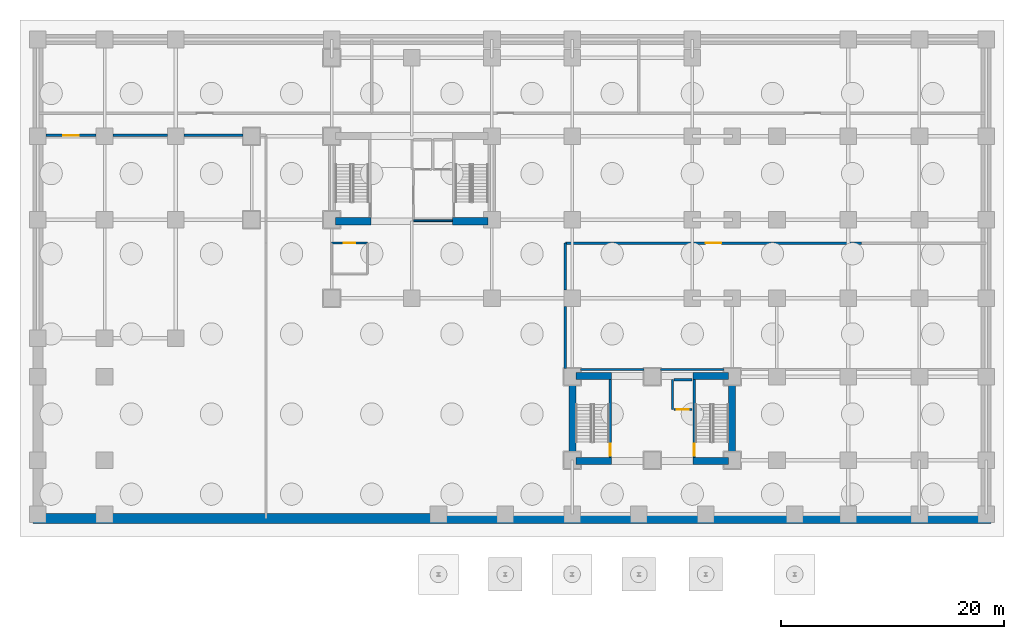
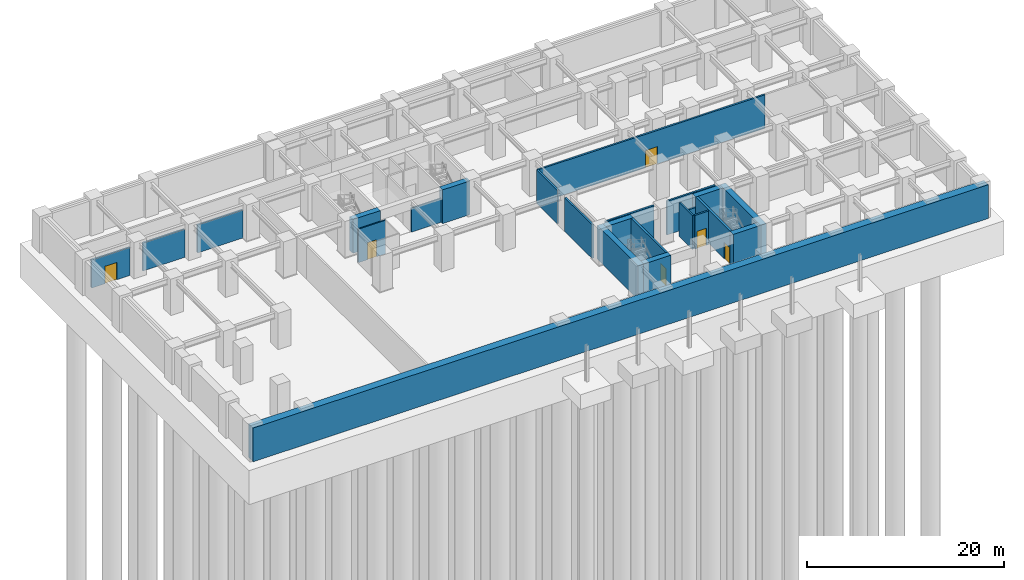
# One storey, part 7 of 11: 24 walls, 6 doors, 6 openings.
"""IFC4 building model written with IfcOpenShell, lengths in metres."""

from ifc_helpers import new_model, si_unit, direction, frame, frame_2d, origin, place, context, subcontext, project, spatial, rectangle, extrude, material, layer, layer_set, type_object, element, fill, save


model = new_model("IFC4")

# Units and contexts
model_context = context("Model", 3, precision=1e-05, world=origin(), true_north=direction((0.0, 1.0)))
body_context = subcontext(model_context, "Body", "Model", "MODEL_VIEW")
ifc_project = project(units=[si_unit("LENGTHUNIT", "METRE"), si_unit("AREAUNIT", "SQUARE_METRE"), si_unit("VOLUMEUNIT", "CUBIC_METRE"), si_unit("PLANEANGLEUNIT", "RADIAN"), si_unit("MASSUNIT", "GRAM", prefix="KILO")], contexts=[model_context])

# Site, building, storey
site_placement = place(None, origin())
site = spatial("IfcSite", under=ifc_project, at=site_placement, CompositionType="ELEMENT")
building_placement = place(site_placement, origin())
building = spatial("IfcBuilding", under=site, at=building_placement, Name="Kaliganga Portal Commons", CompositionType="ELEMENT")
storey_placement = place(building_placement, frame((0.0, 0.0, -9.0)))
storey = spatial("IfcBuildingStorey", under=building, at=storey_placement, Name="B2", CompositionType="ELEMENT", Elevation=-9.0)

# Walls
ifc_material_1 = material(Name="Concrete C70/85", Category="concrete")
ifc_layer_1 = layer(ifc_material_1, 0.64990234375)
ifc_layer_set_1 = layer_set([ifc_layer_1], Name="Concrete C70/85")
wall_type_1 = type_object("IfcWallType", Name="WL-CORE-650", PredefinedType="SHEAR", material=ifc_layer_set_1)
for number, where, z_axis, x_axis, name in (
    (1, (14.75, 28.52490234375, 0.0), (0.0, 0.0, 1.0), (1.0, 0.0, 0.0), "Core A S-West Shear Wall B2"),
    (2, (25.25, 28.52490234375, 0.0), (0.0, 0.0, 1.0), (1.0, 0.0, 0.0), "Core A S-East Shear Wall B2"),
):
    element("IfcWall", number, at=place(storey_placement, frame(where, z_axis=z_axis, x_axis=x_axis)), inside=storey, type_object=wall_type_1, Name=name, PredefinedType="SHEAR", context=body_context, shape_type="SweptSolid", body=[
        extrude(rectangle(XDim=3.199951171875, YDim=0.64990234375, at=frame_2d((1.60009765625, 0.0))), origin(), (0.0, 0.0, 1.0), 4.179931640625),
    ])
for number, where, z_axis, x_axis, name in (
    (3, (36.02490234375, 6.64990234375, 0.0), (0.0, 0.0, 1.0), (0.0, 1.0, 0.0), "Core B West Shear Wall B2"),
    (4, (50.375, 6.64990234375, 0.0), (0.0, 0.0, 1.0), (0.0, 1.0, 0.0), "Core B East Shear Wall B2"),
):
    element("IfcWall", number, at=place(storey_placement, frame(where, z_axis=z_axis, x_axis=x_axis)), inside=storey, type_object=wall_type_1, Name=name, PredefinedType="SHEAR", context=body_context, shape_type="SweptSolid", body=[
        extrude(rectangle(XDim=8.300048828125, YDim=0.64990234375, at=frame_2d((4.14990234375, 0.0))), origin(), (0.0, 0.0, 1.0), 4.179931640625),
    ])
for number, where, z_axis, x_axis, name in (
    (5, (36.35009765625, 6.97509765625, 0.0), (0.0, 0.0, 1.0), (1.0, 0.0, 0.0), "Core B S-West Shear Wall B2"),
    (6, (46.85009765625, 6.97509765625, 0.0), (0.0, 0.0, 1.0), (1.0, 0.0, 0.0), "Core B S-East Shear Wall B2"),
    (7, (36.35009765625, 14.625, 0.0), (0.0, 0.0, 1.0), (1.0, 0.0, 0.0), "Core B N-West Shear Wall B2"),
    (8, (46.85009765625, 14.625, 0.0), (0.0, 0.0, 1.0), (1.0, 0.0, 0.0), "Core B N-East Shear Wall B2"),
):
    element("IfcWall", number, at=place(storey_placement, frame(where, z_axis=z_axis, x_axis=x_axis)), inside=storey, type_object=wall_type_1, Name=name, PredefinedType="SHEAR", context=body_context, shape_type="SweptSolid", body=[
        extrude(rectangle(XDim=3.199951171875, YDim=0.64990234375, at=frame_2d((1.60009765625, 0.0))), origin(), (0.0, 0.0, 1.0), 4.179931640625),
    ])

# Wall, opening, door
ifc_material_2 = material(Name="Fire-Rated Gypsum Board on Steel Stud", Category="steel")
ifc_layer_2 = layer(ifc_material_2, 0.14990234375)
ifc_layer_set_2 = layer_set([ifc_layer_2], Name="Fire-Rated Gypsum Board on Steel Stud")
wall_type_2 = type_object("IfcWallType", Name="WL-PART-CORR-150", PredefinedType="PARTITIONING", material=ifc_layer_set_2)
wall_1_placement = place(storey_placement, frame((14.39990234375, 26.56005859375, 0.0), z_axis=(0.0, 0.0, 1.0), x_axis=(1.0, 0.0, 0.0)))
wall_1 = element("IfcWall", 9, at=wall_1_placement, inside=storey, type_object=wall_type_2, Name="Interior Partition B2-012", PredefinedType="PARTITIONING", context=body_context, shape_type="SweptSolid", body=[
    extrude(rectangle(XDim=3.2001953125, YDim=0.14990234375, at=frame_2d((1.60009765625, 0.0))), origin(), (0.0, 0.0, 1.0), 4.159912109375),
])
opening_1_placement = place(wall_1_placement, frame((1.074951171875, 0.0, 0.0)))
opening_1 = element("IfcOpeningElement", 10, at=opening_1_placement, cuts=wall_1, Name="Opening UD-02", PredefinedType="OPENING", context=body_context, shape_type="SweptSolid", body=[
    extrude(rectangle(XDim=1.050048828125, YDim=2.1201171875, at=frame_2d((0.52490234375, 1.06005859375))), frame((0.0, 0.0849609375, 0.0), z_axis=(0.0, -1.0, 0.0), x_axis=(1.0, 0.0, 0.0)), (0.0, 0.0, 1.0), 0.169921875),
])
ifc_material_3 = material(Name="Accessible Wide-Leaf Acoustic Fire Door", Category="wood")
door_type_1 = type_object("IfcDoorType", Name="DR-ACC-1050", OperationType="NOTDEFINED", PredefinedType="DOOR", material=ifc_material_3)
door_1_placement = place(opening_1_placement, origin())
door_1 = element("IfcDoor", 11, at=door_1_placement, inside=storey, type_object=door_type_1, Name="Interior Door B2-B2WC", OperationType="SINGLE_SWING_RIGHT", OverallHeight=2.1201171875, OverallWidth=1.050048828125, PredefinedType="DOOR", context=body_context, shape_type="SweptSolid", body=[
    extrude(rectangle(XDim=1.050048828125, YDim=2.1201171875, at=frame_2d((0.52490234375, 1.06005859375))), frame((0.0, 0.02490234375, 0.0), z_axis=(0.0, -1.0, 0.0), x_axis=(1.0, 0.0, 0.0)), (0.0, 0.0, 1.0), 0.050048828125),
])
fill(opening_1, door_1)

# Wall
wall_2_placement = place(storey_placement, frame((21.760009765625, 28.56005859375, 0.0), z_axis=(0.0, 0.0, 1.0), x_axis=(1.0, 0.0, 0.0)))
element("IfcWall", 12, at=wall_2_placement, inside=storey, type_object=wall_type_2, Name="Interior Partition B2-025", PredefinedType="PARTITIONING", context=body_context, shape_type="SweptSolid", body=[
    extrude(rectangle(XDim=3.47998046875, YDim=0.14990234375, at=frame_2d((1.739990234375, 0.0))), origin(), (0.0, 0.0, 1.0), 2.9599609375),
])

# Wall, opening, door
ifc_material_4 = material(Name="Lightweight blockwork masonry", Category="masonry")
ifc_layer_3 = layer(ifc_material_4, 0.215087890625)
ifc_layer_set_3 = layer_set([ifc_layer_3], Name="Lightweight blockwork masonry")
wall_type_3 = type_object("IfcWallType", Name="WL-PART-PLANT-215", PredefinedType="PARTITIONING", material=ifc_layer_set_3)
wall_3_placement = place(storey_placement, frame((35.39990234375, 26.56005859375, 0.0), z_axis=(0.0, 0.0, 1.0), x_axis=(1.0, 0.0, 0.0)))
wall_3 = element("IfcWall", 13, at=wall_3_placement, inside=storey, type_object=wall_type_3, Name="Interior Partition B2-003", PredefinedType="PARTITIONING", context=body_context, shape_type="SweptSolid", body=[
    extrude(rectangle(XDim=26.60009765625, YDim=0.215087890625, at=frame_2d((13.300048828125, 0.0))), origin(), (0.0, 0.0, 1.0), 4.159912109375),
])
opening_2_placement = place(wall_3_placement, frame((12.60009765625, 0.0, 0.0)))
opening_2 = element("IfcOpeningElement", 14, at=opening_2_placement, cuts=wall_3, Name="Opening PD-01", PredefinedType="OPENING", context=body_context, shape_type="SweptSolid", body=[
    extrude(rectangle(XDim=1.39990234375, YDim=2.14990234375, at=frame_2d((0.699951171875, 1.074951171875))), frame((0.0, 0.11767578125, 0.0), z_axis=(0.0, -1.0, 0.0), x_axis=(1.0, 0.0, 0.0)), (0.0, 0.0, 1.0), 0.235107421875),
])
ifc_material_5 = material(Name="Heavy-Duty Steel Acoustic Louvre Fire Door", Category="steel")
door_type_2 = type_object("IfcDoorType", Name="DR-PLANT-1400", OperationType="DOUBLE_DOOR_SINGLE_SWING", PredefinedType="DOOR", material=ifc_material_5)
door_2_placement = place(opening_2_placement, origin())
door_2 = element("IfcDoor", 15, at=door_2_placement, inside=storey, type_object=door_type_2, Name="Interior Door B2-GEN", OperationType="DOUBLE_DOOR_SINGLE_SWING", OverallHeight=2.14990234375, OverallWidth=1.39990234375, PredefinedType="DOOR", context=body_context, shape_type="SweptSolid", body=[
    extrude(rectangle(XDim=1.39990234375, YDim=2.14990234375, at=frame_2d((0.699951171875, 1.074951171875))), frame((0.0, 0.02490234375, 0.0), z_axis=(0.0, -1.0, 0.0), x_axis=(1.0, 0.0, 0.0)), (0.0, 0.0, 1.0), 0.050048828125),
])
fill(opening_2, door_2)

wall_4_placement = place(storey_placement, frame((-11.25, 36.239990234375, 0.0), z_axis=(0.0, 0.0, 1.0), x_axis=(1.0, 0.0, 0.0)))
wall_4 = element("IfcWall", 16, at=wall_4_placement, inside=storey, type_object=wall_type_3, Name="Interior Partition B2-005", PredefinedType="PARTITIONING", context=body_context, shape_type="SweptSolid", body=[
    extrude(rectangle(XDim=4.5, YDim=0.215087890625, at=frame_2d((2.25, 0.0))), origin(), (0.0, 0.0, 1.0), 3.4599609375),
])
opening_3_placement = place(wall_4_placement, frame((1.550048828125, 0.0, 0.0)))
opening_3 = element("IfcOpeningElement", 17, at=opening_3_placement, cuts=wall_4, Name="Opening PD-01", PredefinedType="OPENING", context=body_context, shape_type="SweptSolid", body=[
    extrude(rectangle(XDim=1.39990234375, YDim=2.14990234375, at=frame_2d((0.699951171875, 1.074951171875))), frame((0.0, 0.11767578125, 0.0), z_axis=(0.0, -1.0, 0.0), x_axis=(1.0, 0.0, 0.0)), (0.0, 0.0, 1.0), 0.235107421875),
])
door_3_placement = place(opening_3_placement, origin())
door_3 = element("IfcDoor", 18, at=door_3_placement, inside=storey, type_object=door_type_2, Name="Interior Door B2-RWHT", OperationType="DOUBLE_DOOR_SINGLE_SWING", OverallHeight=2.14990234375, OverallWidth=1.39990234375, PredefinedType="DOOR", context=body_context, shape_type="SweptSolid", body=[
    extrude(rectangle(XDim=1.39990234375, YDim=2.14990234375, at=frame_2d((0.699951171875, 1.074951171875))), frame((0.0, 0.02490234375, 0.0), z_axis=(0.0, -1.0, 0.0), x_axis=(1.0, 0.0, 0.0)), (0.0, 0.0, 1.0), 0.050048828125),
])
fill(opening_3, door_3)

# Walls
wall_5_placement = place(storey_placement, frame((-5.25, 36.239990234375, 0.0), z_axis=(0.0, 0.0, 1.0), x_axis=(1.0, 0.0, 0.0)))
element("IfcWall", 19, at=wall_5_placement, inside=storey, type_object=wall_type_3, Name="Interior Partition B2-006", PredefinedType="PARTITIONING", context=body_context, shape_type="SweptSolid", body=[
    extrude(rectangle(XDim=4.89990234375, YDim=0.215087890625, at=frame_2d((2.449951171875, 0.0))), origin(), (0.0, 0.0, 1.0), 3.4599609375),
])
wall_6_placement = place(storey_placement, frame((1.14990234375, 36.239990234375, 0.0), z_axis=(0.0, 0.0, 1.0), x_axis=(1.0, 0.0, 0.0)))
element("IfcWall", 20, at=wall_6_placement, inside=storey, type_object=wall_type_3, Name="Interior Partition B2-007", PredefinedType="PARTITIONING", context=body_context, shape_type="SweptSolid", body=[
    extrude(rectangle(XDim=5.300048828125, YDim=0.215087890625, at=frame_2d((2.64990234375, 0.0))), origin(), (0.0, 0.0, 1.0), 3.4599609375),
])
wall_7_placement = place(storey_placement, frame((35.39990234375, 15.300048828125, 0.0), z_axis=(0.0, 0.0, 1.0), x_axis=(0.0, 1.0, 0.0)))
element("IfcWall", 21, at=wall_7_placement, inside=storey, type_object=wall_type_3, Name="Interior Partition B2-009", PredefinedType="PARTITIONING", context=body_context, shape_type="SweptSolid", body=[
    extrude(rectangle(XDim=5.550048828125, YDim=0.215087890625, at=frame_2d((2.77490234375, 0.0))), origin(), (0.0, 0.0, 1.0), 4.159912109375),
])
wall_8_placement = place(storey_placement, frame((35.39990234375, 22.35009765625, 0.0), z_axis=(0.0, 0.0, 1.0), x_axis=(0.0, 1.0, 0.0)))
element("IfcWall", 22, at=wall_8_placement, inside=storey, type_object=wall_type_3, Name="Interior Partition B2-010", PredefinedType="PARTITIONING", context=body_context, shape_type="SweptSolid", body=[
    extrude(rectangle(XDim=4.2099609375, YDim=0.215087890625, at=frame_2d((2.10498046875, 0.0))), origin(), (0.0, 0.0, 1.0), 4.159912109375),
])
for number, where, z_axis, x_axis, name in (
    (23, (36.75, 15.199951171875, 0.0), (0.0, 0.0, 1.0), (1.0, 0.0, 0.0), "Interior Partition B2-014"),
    (24, (43.949951171875, 15.199951171875, 0.0), (0.0, 0.0, 1.0), (1.0, 0.0, 0.0), "Interior Partition B2-015"),
):
    element("IfcWall", number, at=place(storey_placement, frame(where, z_axis=z_axis, x_axis=x_axis)), inside=storey, type_object=wall_type_3, Name=name, PredefinedType="PARTITIONING", context=body_context, shape_type="SweptSolid", body=[
        extrude(rectangle(XDim=5.699951171875, YDim=0.215087890625, at=frame_2d((2.85009765625, 0.0))), origin(), (0.0, 0.0, 1.0), 4.159912109375),
    ])
ifc_material_6 = material(Name="Concrete C60/75", Category="concrete")
ifc_layer_4 = layer(ifc_material_6, 0.89990234375)
ifc_layer_set_4 = layer_set([ifc_layer_4], Name="Concrete C60/75")
wall_type_4 = type_object("IfcWallType", Name="WL-RET-900", PredefinedType="USERDEFINED", material=ifc_layer_set_4)
wall_9_placement = place(storey_placement, frame((-12.449951171875, 1.800048828125, 0.0), z_axis=(0.0, 0.0, 1.0), x_axis=(1.0, 0.0, 0.0)))
element("IfcWall", 25, at=wall_9_placement, inside=storey, type_object=wall_type_4, Name="Basement Diaphragm Retaining Wall B2-S", ObjectType="RETAINING WALL", PredefinedType="USERDEFINED", context=body_context, shape_type="SweptSolid", body=[
    extrude(rectangle(XDim=86.099853515625, YDim=0.89990234375, at=frame_2d((43.0498046875, 0.0))), origin(), (0.0, 0.0, 1.0), 4.179931640625),
])

# Wall, opening, door
ifc_material_7 = material(Name="Fire-Rated Shaftwall Masonry Assembly", Category="masonry")
ifc_layer_5 = layer(ifc_material_7, 0.199951171875)
ifc_layer_set_5 = layer_set([ifc_layer_5], Name="Fire-Rated Shaftwall Masonry Assembly")
wall_type_5 = type_object("IfcWallType", Name="WL-SHAFT-200", PredefinedType="PARTITIONING", material=ifc_layer_set_5)
wall_10_placement = place(storey_placement, frame((45.14990234375, 11.610107421875, 0.0), z_axis=(0.0, 0.0, 1.0), x_axis=(1.0, 0.0, 0.0)))
wall_10 = element("IfcWall", 26, at=wall_10_placement, inside=storey, type_object=wall_type_5, Name="Lift SL-B1 Hoistway Shaft Wall B2-S", PredefinedType="PARTITIONING", context=body_context, shape_type="SweptSolid", body=[
    extrude(rectangle(XDim=1.60009765625, YDim=0.199951171875, at=frame_2d((0.800048828125, 0.0))), origin(), (0.0, 0.0, 1.0), 4.159912109375),
])
opening_4_placement = place(wall_10_placement, frame((0.25, 0.0, 0.0)))
opening_4 = element("IfcOpeningElement", 27, at=opening_4_placement, cuts=wall_10, Name="Opening LD-01", PredefinedType="OPENING", context=body_context, shape_type="SweptSolid", body=[
    extrude(rectangle(XDim=1.10009765625, YDim=2.1201171875, at=frame_2d((0.550048828125, 1.06005859375))), frame((0.0, 0.10986328125, 0.0), z_axis=(0.0, -1.0, 0.0), x_axis=(1.0, 0.0, 0.0)), (0.0, 0.0, 1.0), 0.219970703125),
])
ifc_material_8 = material(Name="Brushed Stainless Steel 316 Lift Landing Door", Category="steel")
door_type_3 = type_object("IfcDoorType", Name="DR-LIFT-1100", OperationType="SLIDING_TO_LEFT", PredefinedType="DOOR", material=ifc_material_8)
door_4_placement = place(opening_4_placement, origin())
door_4 = element("IfcDoor", 28, at=door_4_placement, inside=storey, type_object=door_type_3, Name="Lift SL-B1 Sliding Landing Door B2", OperationType="SLIDING_TO_LEFT", OverallHeight=2.1201171875, OverallWidth=1.10009765625, PredefinedType="DOOR", context=body_context, shape_type="SweptSolid", body=[
    extrude(rectangle(XDim=1.10009765625, YDim=2.1201171875, at=frame_2d((0.550048828125, 1.06005859375))), frame((0.0, 0.02490234375, 0.0), z_axis=(0.0, -1.0, 0.0), x_axis=(1.0, 0.0, 0.0)), (0.0, 0.0, 1.0), 0.050048828125),
])
fill(opening_4, door_4)

# Walls
wall_11_placement = place(storey_placement, frame((45.14990234375, 14.2900390625, 0.0), z_axis=(0.0, 0.0, 1.0), x_axis=(1.0, 0.0, 0.0)))
element("IfcWall", 29, at=wall_11_placement, inside=storey, type_object=wall_type_5, Name="Lift SL-B1 Hoistway Shaft Wall B2-N", PredefinedType="PARTITIONING", context=body_context, shape_type="SweptSolid", body=[
    extrude(rectangle(XDim=1.60009765625, YDim=0.199951171875, at=frame_2d((0.800048828125, 0.0))), origin(), (0.0, 0.0, 1.0), 2.9599609375),
])
wall_12_placement = place(storey_placement, frame((45.010009765625, 11.610107421875, 0.0), z_axis=(0.0, 0.0, 1.0), x_axis=(0.0, 1.0, 0.0)))
element("IfcWall", 30, at=wall_12_placement, inside=storey, type_object=wall_type_5, Name="Lift SL-B1 Hoistway Shaft Wall B2-W", PredefinedType="PARTITIONING", context=body_context, shape_type="SweptSolid", body=[
    extrude(rectangle(XDim=2.679931640625, YDim=0.199951171875, at=frame_2d((1.33984375, 0.0))), origin(), (0.0, 0.0, 1.0), 4.159912109375),
])

# Wall, opening, door
ifc_material_9 = material(Name="Concrete C50/60", Category="concrete")
ifc_layer_6 = layer(ifc_material_9, 0.25)
ifc_layer_set_6 = layer_set([ifc_layer_6], Name="Concrete C50/60")
wall_type_6 = type_object("IfcWallType", Name="WL-STAIR-250", PredefinedType="SHEAR", material=ifc_layer_set_6)
wall_13_placement = place(storey_placement, frame((39.425048828125, 7.300048828125, 0.0), z_axis=(0.0, 0.0, 1.0), x_axis=(0.0, 1.0, 0.0)))
wall_13 = element("IfcWall", 31, at=wall_13_placement, inside=storey, type_object=wall_type_6, Name="Stair B1 Enclosure Shear Wall B2", PredefinedType="SHEAR", context=body_context, shape_type="SweptSolid", body=[
    extrude(rectangle(XDim=7.0, YDim=0.25, at=frame_2d((3.5, 0.0))), origin(), (0.0, 0.0, 1.0), 4.179931640625),
])
opening_5_placement = place(wall_13_placement, frame((0.14990234375, 0.0, 0.0)))
opening_5 = element("IfcOpeningElement", 32, at=opening_5_placement, cuts=wall_13, Name="Opening SD-01", PredefinedType="OPENING", context=body_context, shape_type="SweptSolid", body=[
    extrude(rectangle(XDim=1.10009765625, YDim=2.080078125, at=frame_2d((0.550048828125, 1.0400390625))), frame((0.0, 0.135009765625, 0.0), z_axis=(0.0, -1.0, 0.0), x_axis=(1.0, 0.0, 0.0)), (0.0, 0.0, 1.0), 0.27001953125),
])
ifc_material_10 = material(Name="Galvanized Steel Fire Door Leaf and Frame", Category="steel")
door_type_4 = type_object("IfcDoorType", Name="DR-STAIR-1100", OperationType="NOTDEFINED", PredefinedType="DOOR", material=ifc_material_10)
door_5_placement = place(opening_5_placement, origin())
door_5 = element("IfcDoor", 33, at=door_5_placement, inside=storey, type_object=door_type_4, Name="Protected Stair ST-B1 Fire Door B2", OperationType="SINGLE_SWING_RIGHT", OverallHeight=2.080078125, OverallWidth=1.10009765625, PredefinedType="DOOR", context=body_context, shape_type="SweptSolid", body=[
    extrude(rectangle(XDim=1.10009765625, YDim=2.080078125, at=frame_2d((0.550048828125, 1.0400390625))), frame((0.0, 0.02490234375, 0.0), z_axis=(0.0, -1.0, 0.0), x_axis=(1.0, 0.0, 0.0)), (0.0, 0.0, 1.0), 0.050048828125),
])
fill(opening_5, door_5)

wall_14_placement = place(storey_placement, frame((46.97509765625, 7.300048828125, 0.0), z_axis=(0.0, 0.0, 1.0), x_axis=(0.0, 1.0, 0.0)))
wall_14 = element("IfcWall", 34, at=wall_14_placement, inside=storey, type_object=wall_type_6, Name="Stair B2 Enclosure Shear Wall B2", PredefinedType="SHEAR", context=body_context, shape_type="SweptSolid", body=[
    extrude(rectangle(XDim=7.0, YDim=0.25, at=frame_2d((3.5, 0.0))), origin(), (0.0, 0.0, 1.0), 4.179931640625),
])
opening_6_placement = place(wall_14_placement, frame((0.14990234375, 0.0, 0.0)))
opening_6 = element("IfcOpeningElement", 35, at=opening_6_placement, cuts=wall_14, Name="Opening SD-01", PredefinedType="OPENING", context=body_context, shape_type="SweptSolid", body=[
    extrude(rectangle(XDim=1.10009765625, YDim=2.080078125, at=frame_2d((0.550048828125, 1.0400390625))), frame((0.0, 0.135009765625, 0.0), z_axis=(0.0, -1.0, 0.0), x_axis=(1.0, 0.0, 0.0)), (0.0, 0.0, 1.0), 0.27001953125),
])
door_6_placement = place(opening_6_placement, origin())
door_6 = element("IfcDoor", 36, at=door_6_placement, inside=storey, type_object=door_type_4, Name="Protected Stair ST-B2 Fire Door B2", OperationType="SINGLE_SWING_LEFT", OverallHeight=2.080078125, OverallWidth=1.10009765625, PredefinedType="DOOR", context=body_context, shape_type="SweptSolid", body=[
    extrude(rectangle(XDim=1.10009765625, YDim=2.080078125, at=frame_2d((0.550048828125, 1.0400390625))), frame((0.0, 0.02490234375, 0.0), z_axis=(0.0, -1.0, 0.0), x_axis=(1.0, 0.0, 0.0)), (0.0, 0.0, 1.0), 0.050048828125),
])
fill(opening_6, door_6)

save(model, "model.ifc")
